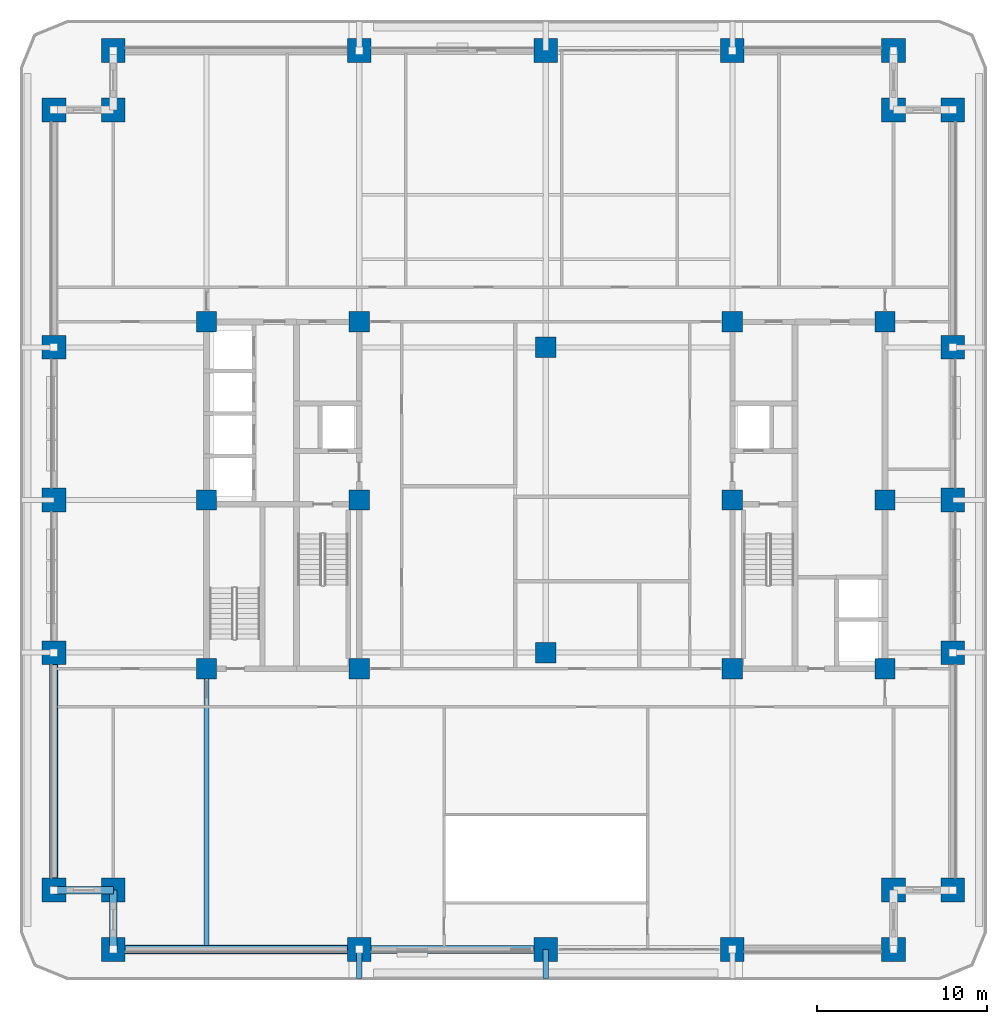
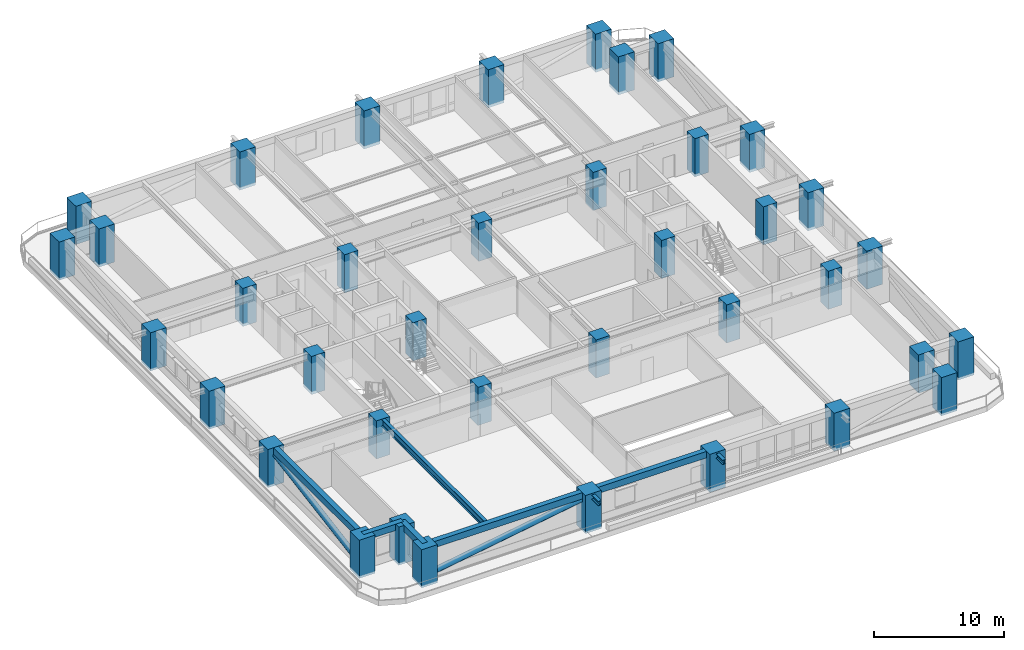
# One storey, part 1 of 20: 38 columns, 8 beams, 2 members.
"""IFC4 building model written with IfcOpenShell, lengths in metres."""

import ifcopenshell
import ifcopenshell.guid

model = None  # the IFC model being written
_history = None  # IfcOwnerHistory: only IFC2X3 demands one
_inside = {}  # id of a spatial element -> (the spatial element, [elements in it])
_under = {}  # id of a project, library or spatial element -> (it, [spatial elements below it])
_declared = {}  # id of a project -> (the project, [libraries it declares])
_typed = {}  # id of a type object -> (the type object, [elements of that type])
_made_of = {}  # id of a material, layer set ... -> (it, [elements and type objects made of it])


def new_model(schema):
    """Start an empty IFC model of exactly this schema.

    Asked for "IFC4X3", IfcOpenShell would pick the latest addendum, in which some entities
    have other attributes; the version numbers below select the first issue.
    IFC2X3 requires an IfcOwnerHistory on every rooted entity: one is made here for all.
    """
    global model, _history
    if schema == "IFC4X3":
        model = ifcopenshell.file(schema_version=(4, 3, 0, 0))
    else:
        model = ifcopenshell.file(schema=schema)
    _inside.clear()
    _under.clear()
    _declared.clear()
    _typed.clear()
    _made_of.clear()
    _history = None
    if model.schema == "IFC2X3":
        org = make("IfcOrganization", Name="unknown")
        user = make(
            "IfcPersonAndOrganization",
            ThePerson=make("IfcPerson", FamilyName="unknown"),
            TheOrganization=org,
        )
        app = make(
            "IfcApplication",
            ApplicationDeveloper=org,
            Version="unknown",
            ApplicationFullName="unknown",
            ApplicationIdentifier="unknown",
        )
        _history = make(
            "IfcOwnerHistory",
            OwningUser=user,
            OwningApplication=app,
            ChangeAction="ADDED",
            CreationDate=0,
        )
    return model


def make(cls, **values):
    """One entity of the class cls with the attributes given. An attribute that is None is left unset."""
    return model.create_entity(
        cls, **{name: value for name, value in values.items() if value is not None}
    )


def rooted(cls, **values):
    """An entity with a GlobalId (a new one), such as an element, a storey or a relation."""
    return make(cls, GlobalId=ifcopenshell.guid.new(), OwnerHistory=_history, **values)


def si_unit(unit_type, name, prefix=None):
    """IfcSIUnit, for example si_unit("LENGTHUNIT", "METRE", prefix="MILLI")."""
    return make("IfcSIUnit", UnitType=unit_type, Prefix=prefix, Name=name)


def assignment(units):
    """IfcUnitAssignment: the units of a project."""
    return None if units is None else make("IfcUnitAssignment", Units=units)


def point(xyz):
    """IfcCartesianPoint."""
    return None if xyz is None else make("IfcCartesianPoint", Coordinates=xyz)


def direction(xyz):
    """IfcDirection."""
    return None if xyz is None else make("IfcDirection", DirectionRatios=xyz)


def frame(location, z_axis=None, x_axis=None):
    """IfcAxis2Placement3D, a coordinate frame: its origin and axes. An axis left out is left unset."""
    return make(
        "IfcAxis2Placement3D",
        Location=point(location),
        Axis=direction(z_axis),
        RefDirection=direction(x_axis),
    )


def frame_2d(location, x_axis=None):
    """IfcAxis2Placement2D, a coordinate frame in the plane: its origin and x axis."""
    return make(
        "IfcAxis2Placement2D", Location=point(location), RefDirection=direction(x_axis)
    )


def origin():
    """The frame at (0, 0, 0) with its axes left unset."""
    return frame((0.0, 0.0, 0.0))


def origin_2d():
    """The frame at (0, 0) in the plane with its x axis left unset."""
    return frame_2d((0.0, 0.0))


def place(relative_to, where):
    """IfcLocalPlacement: puts the frame where relative to a parent placement (None: the world)."""
    return make(
        "IfcLocalPlacement", PlacementRelTo=relative_to, RelativePlacement=where
    )


def context(
    kind, dimensions, precision=None, world=None, true_north=None, identifier=None
):
    """IfcGeometricRepresentationContext, for example the 3D "Model" context."""
    return make(
        "IfcGeometricRepresentationContext",
        ContextIdentifier=identifier,
        ContextType=kind,
        CoordinateSpaceDimension=dimensions,
        Precision=precision,
        WorldCoordinateSystem=world,
        TrueNorth=true_north,
    )


def subcontext(parent, identifier, kind, view, scale=None):
    """IfcGeometricRepresentationSubContext, for example "Body" below "Model"."""
    return make(
        "IfcGeometricRepresentationSubContext",
        ContextIdentifier=identifier,
        ContextType=kind,
        ParentContext=parent,
        TargetScale=scale,
        TargetView=view,
    )


def project(units=None, contexts=None):
    """IfcProject with its units and contexts."""
    return rooted(
        "IfcProject",
        Name="project",
        RepresentationContexts=contexts,
        UnitsInContext=assignment(units),
    )


def spatial(cls, under=None, at=None, **own):
    """A site, building, storey or space (cls), placed at a placement, below another one or the project."""
    s = rooted(cls, ObjectPlacement=at, **own)
    if under is not None:
        _under.setdefault(under.id(), (under, []))[1].append(s)
    return s


def profile(cls, at=None, kind="AREA", **sizes):
    """A parametric profile (cls). Its sizes go by their IFC names, for example OverallWidth=200.0."""
    return make(cls, ProfileType=kind, Position=at, **sizes)


def rectangle(**sizes):
    """IfcRectangleProfileDef."""
    return profile("IfcRectangleProfileDef", **sizes)


def hollow_circle(**sizes):
    """IfcCircleHollowProfileDef."""
    return profile("IfcCircleHollowProfileDef", **sizes)


def i_section(**sizes):
    """IfcIShapeProfileDef."""
    return profile("IfcIShapeProfileDef", **sizes)


def extrude(swept, where, along, depth):
    """IfcExtrudedAreaSolid: the profile swept, set in the frame where, extruded along a direction by depth."""
    return make(
        "IfcExtrudedAreaSolid",
        SweptArea=swept,
        Position=where,
        ExtrudedDirection=direction(along),
        Depth=depth,
    )


def shape(context_of_items, identifier, shape_type, items):
    """IfcShapeRepresentation: the items that make up one representation, for example the "Body"."""
    return make(
        "IfcShapeRepresentation",
        ContextOfItems=context_of_items,
        RepresentationIdentifier=identifier,
        RepresentationType=shape_type,
        Items=items,
    )


def material(Name=None, Category=None):
    """IfcMaterial."""
    return make("IfcMaterial", Name=Name, Category=Category)


def material_profile(
    of_material, cross_section, Name=None, Category=None, Priority=None
):
    """IfcMaterialProfile: a cross section and its material."""
    return make(
        "IfcMaterialProfile",
        Name=Name,
        Material=of_material,
        Profile=cross_section,
        Priority=Priority,
        Category=Category,
    )


def profile_set(profiles, Name=None, composite=None):
    """IfcMaterialProfileSet."""
    return make(
        "IfcMaterialProfileSet",
        Name=Name,
        MaterialProfiles=profiles,
        CompositeProfile=composite,
    )


def made_of(thing, what):
    """Note that an element or type object is made of a material, layer set ...; save() writes the relation."""
    if what is not None:
        _made_of.setdefault(what.id(), (what, []))[1].append(thing)
    return thing


def type_object(cls, material=None, **own):
    """A type object (cls), such as IfcWallType, which elements share."""
    return made_of(rooted(cls, **own), material)


def element(
    cls,
    number,
    at=None,
    inside=None,
    cuts=None,
    type_object=None,
    material=None,
    context=None,
    identifier="Body",
    shape_type=None,
    held_by="IfcProductDefinitionShape",
    body=None,
    shapes=None,
    **own,
):
    """One element of the class cls, such as IfcWall. Its Tag is "e" and its number.

    at: its placement. inside: the storey or other place that contains it. cuts: it is an
    opening in that element (IfcRelVoidsElement). A single representation is given by context,
    identifier, shape_type and body (its items); several are given by shapes. held_by: the class
    of the entity that holds the representations. save() writes the other relations.
    """
    e = rooted(cls, Tag="e%d" % number, ObjectPlacement=at, **own)
    if body is not None:
        shapes = [shape(context, identifier, shape_type, body)]
    if shapes is not None:
        e.Representation = make(held_by, Representations=shapes)
    if inside is not None:
        _inside.setdefault(inside.id(), (inside, []))[1].append(e)
    if cuts is not None:
        rooted(
            "IfcRelVoidsElement", RelatingBuildingElement=cuts, RelatedOpeningElement=e
        )
    if type_object is not None:
        _typed.setdefault(type_object.id(), (type_object, []))[1].append(e)
    return made_of(e, material)


def aggregate(whole, parts):
    """IfcRelAggregates: a whole, such as a stair, and the parts it consists of."""
    return rooted("IfcRelAggregates", RelatingObject=whole, RelatedObjects=parts)


def save(model, path):
    """Write the relations noted so far, then the file.

    IfcRelAggregates (storeys below a building ...), IfcRelContainedInSpatialStructure (elements
    in a storey), IfcRelDefinesByType, IfcRelAssociatesMaterial and IfcRelDeclares: one each for
    every whole, place, type object, material and project.
    """
    for whole, parts in _under.values():
        aggregate(whole, parts)
    for where, things in _inside.values():
        rooted(
            "IfcRelContainedInSpatialStructure",
            RelatedElements=things,
            RelatingStructure=where,
        )
    for kind, things in _typed.values():
        rooted("IfcRelDefinesByType", RelatedObjects=things, RelatingType=kind)
    for what, things in _made_of.values():
        rooted("IfcRelAssociatesMaterial", RelatedObjects=things, RelatingMaterial=what)
    for by, libraries in _declared.values():
        rooted("IfcRelDeclares", RelatingContext=by, RelatedDefinitions=libraries)
    model.write(path)


model = new_model("IFC4")

# Units and contexts
model_context = context("Model", 3, precision=1e-05, world=origin(), true_north=direction((0.0, 1.0)))
body_context = subcontext(model_context, "Body", "Model", "MODEL_VIEW")
ifc_project = project(units=[si_unit("LENGTHUNIT", "METRE"), si_unit("AREAUNIT", "SQUARE_METRE"), si_unit("VOLUMEUNIT", "CUBIC_METRE"), si_unit("PLANEANGLEUNIT", "RADIAN"), si_unit("MASSUNIT", "GRAM", prefix="KILO")], contexts=[model_context])

# Site, building, storey
site_placement = place(None, origin())
site = spatial("IfcSite", under=ifc_project, at=site_placement, CompositionType="ELEMENT")
building_placement = place(site_placement, origin())
building = spatial("IfcBuilding", under=site, at=building_placement, Name="Zulmaris Gate Convention Tower", CompositionType="ELEMENT")
storey_placement = place(building_placement, frame((0.0, 0.0, 75.0400390625)))
storey = spatial("IfcBuildingStorey", under=building, at=storey_placement, Name="L18", CompositionType="ELEMENT", Elevation=75.0400390625)

# Columns
ifc_material_1 = material(Name="Concrete C70/85", Category="concrete")
ifc_material_profile_1 = material_profile(ifc_material_1, rectangle(XDim=1.199951171875, YDim=1.199951171875, at=origin_2d()), Name="RC COL 1200x1200")
ifc_profile_set_1 = profile_set([ifc_material_profile_1], Name="Concrete C70/85")
column_type_1 = type_object("IfcColumnType", Name="COL-RC1200", PredefinedType="COLUMN", material=ifc_profile_set_1)
for number, where, z_axis, x_axis, name in (
    (1, (-20.0, -9.949951171875, -0.25), (0.0, 0.0, 1.0), (1.0, 0.0, 0.0), "L18 Column IN--20.00_-9.95"),
    (2, (-20.0, 10.5, -0.25), (0.0, 0.0, 1.0), (1.0, 0.0, 0.0), "L18 Column IN--20.00_+10.50"),
    (3, (-11.0, -9.949951171875, -0.25), (0.0, 0.0, 1.0), (1.0, 0.0, 0.0), "L18 Column IN--11.00_-9.95"),
    (4, (-11.0, 0.0, -0.25), (0.0, 0.0, 1.0), (1.0, 0.0, 0.0), "L18 Column IN--11.00_+0.00"),
    (5, (-11.0, 10.5, -0.25), (0.0, 0.0, 1.0), (1.0, 0.0, 0.0), "L18 Column IN--11.00_+10.50"),
    (6, (11.0, -9.949951171875, -0.25), (0.0, 0.0, 1.0), (1.0, 0.0, 0.0), "L18 Column IN-+11.00_-9.95"),
    (7, (11.0, 0.0, -0.25), (0.0, 0.0, 1.0), (1.0, 0.0, 0.0), "L18 Column IN-+11.00_+0.00"),
    (8, (11.0, 10.5, -0.25), (0.0, 0.0, 1.0), (1.0, 0.0, 0.0), "L18 Column IN-+11.00_+10.50"),
    (9, (20.0, -9.949951171875, -0.25), (0.0, 0.0, 1.0), (1.0, 0.0, 0.0), "L18 Column IN-+20.00_-9.95"),
    (10, (20.0, 10.5, -0.25), (0.0, 0.0, 1.0), (1.0, 0.0, 0.0), "L18 Column IN-+20.00_+10.50"),
    (11, (0.0, -9.0, -0.25), (0.0, 0.0, 1.0), (1.0, 0.0, 0.0), "L18 Column IN-+0.00_-9.00"),
    (12, (0.0, 9.0, -0.25), (0.0, 0.0, 1.0), (1.0, 0.0, 0.0), "L18 Column IN-+0.00_+9.00"),
    (13, (-20.0, 0.0, -0.25), (0.0, 0.0, 1.0), (1.0, 0.0, 0.0), "L18 Column IN--20.00_+0.00"),
    (14, (20.0, 0.0, -0.25), (0.0, 0.0, 1.0), (1.0, 0.0, 0.0), "L18 Column IN-+20.00_+0.00"),
):
    element("IfcColumn", number, at=place(storey_placement, frame(where, z_axis=z_axis, x_axis=x_axis)), inside=storey, type_object=column_type_1, Name=name, PredefinedType="COLUMN", context=body_context, shape_type="SweptSolid", body=[
        extrude(rectangle(XDim=1.199951171875, YDim=1.199951171875, at=origin_2d()), origin(), (0.0, 0.0, 1.0), 3.56982421875),
    ])
ifc_material_2 = material(Name="Concrete C80/95", Category="concrete")
ifc_material_profile_2 = material_profile(ifc_material_2, rectangle(XDim=1.39990234375, YDim=1.39990234375, at=origin_2d()), Name="RC COL 1400x1400")
ifc_profile_set_2 = profile_set([ifc_material_profile_2], Name="Concrete C80/95")
column_type_2 = type_object("IfcColumnType", Name="COL-RC1400", PredefinedType="COLUMN", material=ifc_profile_set_2)
for number, where, z_axis, x_axis, name in (
    (15, (-25.5, -26.5, -0.25), (0.0, 0.0, 1.0), (1.0, 0.0, 0.0), "L18 Column PT--25.50_-26.50"),
    (16, (-11.0, -26.5, -0.25), (0.0, 0.0, 1.0), (1.0, 0.0, 0.0), "L18 Column PT--11.00_-26.50"),
    (17, (0.0, -26.5, -0.25), (0.0, 0.0, 1.0), (1.0, 0.0, 0.0), "L18 Column PT-+0.00_-26.50"),
    (18, (11.0, -26.5, -0.25), (0.0, 0.0, 1.0), (1.0, 0.0, 0.0), "L18 Column PT-+11.00_-26.50"),
    (19, (20.5, -26.5, -0.25), (0.0, 0.0, 1.0), (1.0, 0.0, 0.0), "L18 Column PT-+20.50_-26.50"),
    (20, (-25.5, 26.5, -0.25), (0.0, 0.0, 1.0), (1.0, 0.0, 0.0), "L18 Column PT--25.50_+26.50"),
    (21, (-11.0, 26.5, -0.25), (0.0, 0.0, 1.0), (1.0, 0.0, 0.0), "L18 Column PT--11.00_+26.50"),
    (22, (0.0, 26.5, -0.25), (0.0, 0.0, 1.0), (1.0, 0.0, 0.0), "L18 Column PT-+0.00_+26.50"),
    (23, (11.0, 26.5, -0.25), (0.0, 0.0, 1.0), (1.0, 0.0, 0.0), "L18 Column PT-+11.00_+26.50"),
    (24, (20.5, 26.5, -0.25), (0.0, 0.0, 1.0), (1.0, 0.0, 0.0), "L18 Column PT-+20.50_+26.50"),
    (25, (-29.0, -23.0, -0.25), (0.0, 0.0, 1.0), (1.0, 0.0, 0.0), "L18 Column PT--29.00_-23.00"),
    (26, (-29.0, -9.0, -0.25), (0.0, 0.0, 1.0), (1.0, 0.0, 0.0), "L18 Column PT--29.00_-9.00"),
    (27, (-29.0, 0.0, -0.25), (0.0, 0.0, 1.0), (1.0, 0.0, 0.0), "L18 Column PT--29.00_+0.00"),
    (28, (-29.0, 9.0, -0.25), (0.0, 0.0, 1.0), (1.0, 0.0, 0.0), "L18 Column PT--29.00_+9.00"),
    (29, (-29.0, 23.0, -0.25), (0.0, 0.0, 1.0), (1.0, 0.0, 0.0), "L18 Column PT--29.00_+23.00"),
    (30, (24.0, -23.0, -0.25), (0.0, 0.0, 1.0), (1.0, 0.0, 0.0), "L18 Column PT-+24.00_-23.00"),
    (31, (24.0, -9.0, -0.25), (0.0, 0.0, 1.0), (1.0, 0.0, 0.0), "L18 Column PT-+24.00_-9.00"),
    (32, (24.0, 0.0, -0.25), (0.0, 0.0, 1.0), (1.0, 0.0, 0.0), "L18 Column PT-+24.00_+0.00"),
    (33, (24.0, 9.0, -0.25), (0.0, 0.0, 1.0), (1.0, 0.0, 0.0), "L18 Column PT-+24.00_+9.00"),
    (34, (24.0, 23.0, -0.25), (0.0, 0.0, 1.0), (1.0, 0.0, 0.0), "L18 Column PT-+24.00_+23.00"),
    (35, (-25.5, -23.0, -0.25), (0.0, 0.0, 1.0), (1.0, 0.0, 0.0), "L18 Column PT--25.50_-23.00"),
    (36, (20.5, -23.0, -0.25), (0.0, 0.0, 1.0), (1.0, 0.0, 0.0), "L18 Column PT-+20.50_-23.00"),
    (37, (20.5, 23.0, -0.25), (0.0, 0.0, 1.0), (1.0, 0.0, 0.0), "L18 Column PT-+20.50_+23.00"),
    (38, (-25.5, 23.0, -0.25), (0.0, 0.0, 1.0), (1.0, 0.0, 0.0), "L18 Column PT--25.50_+23.00"),
):
    element("IfcColumn", number, at=place(storey_placement, frame(where, z_axis=z_axis, x_axis=x_axis)), inside=storey, type_object=column_type_2, Name=name, PredefinedType="COLUMN", context=body_context, shape_type="SweptSolid", body=[
        extrude(rectangle(XDim=1.39990234375, YDim=1.39990234375, at=origin_2d()), origin(), (0.0, 0.0, 1.0), 3.56982421875),
    ])

# Beams
ifc_material_3 = material(Name="Steel S355", Category="steel")
ifc_material_profile_3 = material_profile(ifc_material_3, i_section(OverallWidth=0.300048828125, OverallDepth=0.39990234375, WebThickness=0.013427734375, FlangeThickness=0.02392578125, FilletRadius=0.027099609375, at=origin_2d()), Name="HEB 400")
ifc_profile_set_3 = profile_set([ifc_material_profile_3], Name="Steel S355")
beam_type_1 = type_object("IfcBeamType", Name="BM-HEB400", PredefinedType="BEAM", material=ifc_profile_set_3)
for number, where, z_axis, x_axis, name in (
    (39, (-11.0, -28.199951171875, 2.97998046875), (0.0, 1.0, 0.0), (-1.0, 0.0, 0.0), "L18 Beam TBRK-L18-S--11"),
    (40, (0.0, -28.199951171875, 2.97998046875), (0.0, 1.0, 0.0), (-1.0, 0.0, 0.0), "L18 Beam TBRK-L18-S-+0"),
):
    element("IfcBeam", number, at=place(storey_placement, frame(where, z_axis=z_axis, x_axis=x_axis)), inside=storey, type_object=beam_type_1, Name=name, PredefinedType="BEAM", context=body_context, shape_type="SweptSolid", body=[
        extrude(i_section(OverallWidth=0.300048828125, OverallDepth=0.39990234375, WebThickness=0.013427734375, FlangeThickness=0.02392578125, FilletRadius=0.027099609375, at=origin_2d()), origin(), (0.0, 0.0, 1.0), 1.699951171875),
    ])
ifc_material_profile_4 = material_profile(ifc_material_3, i_section(OverallWidth=0.300048828125, OverallDepth=0.64990234375, WebThickness=0.01611328125, FlangeThickness=0.031005859375, FilletRadius=0.027099609375, at=origin_2d()), Name="HEB 650")
ifc_profile_set_4 = profile_set([ifc_material_profile_4], Name="Steel S355")
beam_type_2 = type_object("IfcBeamType", Name="BM-HEB650", PredefinedType="BEAM", material=ifc_profile_set_4)
beam_1_placement = place(storey_placement, frame((-20.0, -26.5, 2.992919921875), z_axis=(0.0, 1.0, 0.0), x_axis=(-1.0, 0.0, 0.0)))
element("IfcBeam", 41, at=beam_1_placement, inside=storey, type_object=beam_type_2, Name="L18 Beam BM-L18-G12", PredefinedType="BEAM", context=body_context, shape_type="SweptSolid", body=[
    extrude(i_section(OverallWidth=0.300048828125, OverallDepth=0.64990234375, WebThickness=0.01611328125, FlangeThickness=0.031005859375, FilletRadius=0.027099609375, at=origin_2d()), origin(), (0.0, 0.0, 1.0), 16.550048828125),
])
ifc_material_4 = material(Name="Precast concrete C50/60", Category="concrete")
ifc_material_profile_5 = material_profile(ifc_material_4, rectangle(XDim=0.449951171875, YDim=0.60009765625, at=origin_2d()), Name="RC SPANDREL 450x600")
ifc_profile_set_5 = profile_set([ifc_material_profile_5], Name="Precast concrete C50/60")
beam_type_3 = type_object("IfcBeamType", Name="BM-SP450x600", PredefinedType="SPANDREL", material=ifc_profile_set_5)
beam_2_placement = place(storey_placement, frame((-25.5, -26.5, 3.019775390625), z_axis=(1.0, 0.0, 0.0), x_axis=(0.0, 1.0, 0.0)))
element("IfcBeam", 42, at=beam_2_placement, inside=storey, type_object=beam_type_3, Name="L18 Spandrel SP-L18-01", PredefinedType="SPANDREL", context=body_context, shape_type="SweptSolid", body=[
    extrude(rectangle(XDim=0.449951171875, YDim=0.60009765625, at=origin_2d()), origin(), (0.0, 0.0, 1.0), 14.5),
])
beam_3_placement = place(storey_placement, frame((-11.0, -26.5, 3.019775390625), z_axis=(1.0, 0.0, 0.0), x_axis=(0.0, 1.0, 0.0)))
element("IfcBeam", 43, at=beam_3_placement, inside=storey, type_object=beam_type_3, Name="L18 Spandrel SP-L18-02", PredefinedType="SPANDREL", context=body_context, shape_type="SweptSolid", body=[
    extrude(rectangle(XDim=0.449951171875, YDim=0.60009765625, at=origin_2d()), origin(), (0.0, 0.0, 1.0), 11.0),
])
beam_4_placement = place(storey_placement, frame((-29.0, -9.0, 3.019775390625), z_axis=(0.0, -1.0, 0.0), x_axis=(1.0, 0.0, 0.0)))
element("IfcBeam", 44, at=beam_4_placement, inside=storey, type_object=beam_type_3, Name="L18 Spandrel SP-L18-22", PredefinedType="SPANDREL", context=body_context, shape_type="SweptSolid", body=[
    extrude(rectangle(XDim=0.449951171875, YDim=0.60009765625, at=origin_2d()), origin(), (0.0, 0.0, 1.0), 14.0),
])
for number, where, z_axis, x_axis, name in (
    (45, (-29.0, -23.0, 3.019775390625), (1.0, 0.0, 0.0), (0.0, 1.0, 0.0), "L18 Spandrel SP-L18-23"),
    (46, (-25.5, -23.0, 3.019775390625), (0.0, -1.0, 0.0), (1.0, 0.0, 0.0), "L18 Spandrel SP-L18-24"),
):
    element("IfcBeam", number, at=place(storey_placement, frame(where, z_axis=z_axis, x_axis=x_axis)), inside=storey, type_object=beam_type_3, Name=name, PredefinedType="SPANDREL", context=body_context, shape_type="SweptSolid", body=[
        extrude(rectangle(XDim=0.449951171875, YDim=0.60009765625, at=origin_2d()), origin(), (0.0, 0.0, 1.0), 3.5),
    ])

# Members
ifc_material_5 = material(Name="Steel S460", Category="steel")
ifc_material_profile_6 = material_profile(ifc_material_5, hollow_circle(Radius=0.25390625, WallThickness=0.02490234375, at=origin_2d()), Name="CHS 508x25")
ifc_profile_set_6 = profile_set([ifc_material_profile_6], Name="Steel S460")
member_type = type_object("IfcMemberType", Name="BR-CHS508", PredefinedType="BRACE", material=ifc_profile_set_6)
member_1_placement = place(storey_placement, frame((-29.0, -23.0, 0.300048828125), z_axis=(0.0, 0.985623399742, 0.168957136221), x_axis=(-1.0, 0.0, 0.0)))
element("IfcMember", 47, at=member_1_placement, inside=storey, type_object=member_type, Name="L18 Perimeter Tube Diagonal SW-W", PredefinedType="BRACE", context=body_context, shape_type="SweptSolid", body=[
    extrude(hollow_circle(Radius=0.25390625, WallThickness=0.02490234375, at=origin_2d()), origin(), (0.0, 0.0, 1.0), 14.2041015625),
])
member_2_placement = place(storey_placement, frame((-25.5, -26.5, 0.300048828125), z_axis=(0.986578268552, 0.0, 0.163289068896), x_axis=(0.0, 1.0, 0.0)))
element("IfcMember", 48, at=member_2_placement, inside=storey, type_object=member_type, Name="L18 Perimeter Tube Diagonal SW-S", PredefinedType="BRACE", context=body_context, shape_type="SweptSolid", body=[
    extrude(hollow_circle(Radius=0.25390625, WallThickness=0.02490234375, at=origin_2d()), origin(), (0.0, 0.0, 1.0), 14.697265625),
])

save(model, "model.ifc")
